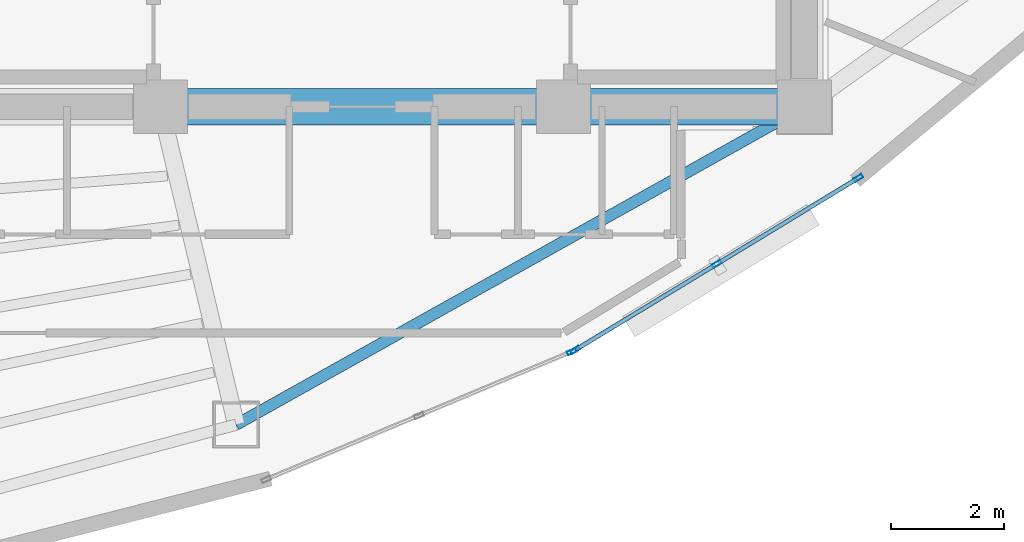
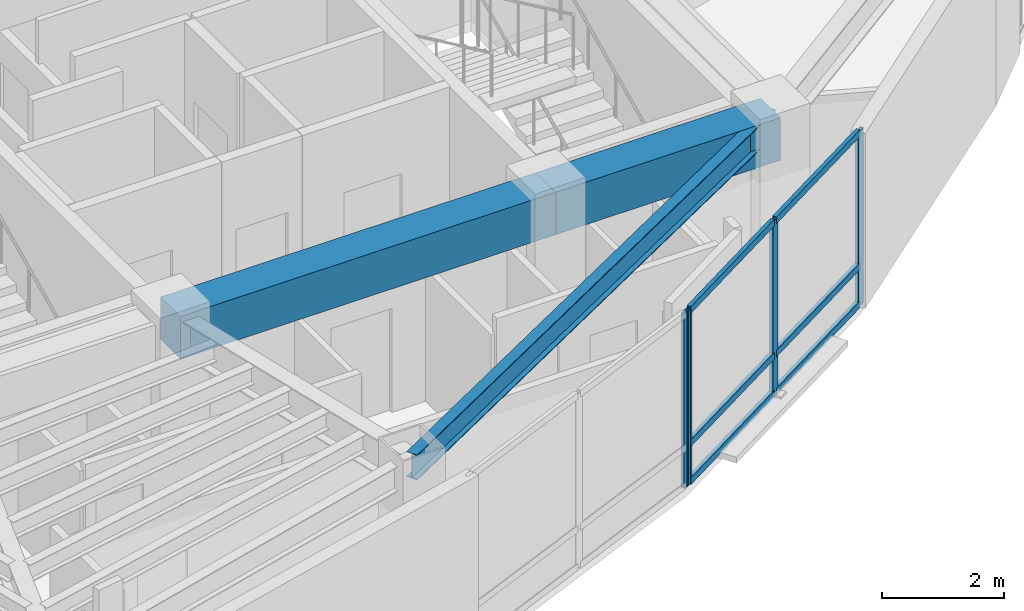
# One storey, part 5 of 15: 10 members, 3 beams, 2 elements without a shape of their own.
"""IFC4 building model written with IfcOpenShell, lengths in metres."""

from ifc_helpers import new_model, si_unit, direction, frame, origin, origin_2d, place, context, subcontext, project, spatial, rectangle, hollow_rectangle, i_section, extrude, material, layer, layer_set, material_profile, profile_set, type_object, element, aggregate, save


model = new_model("IFC4")

# Units and contexts
model_context = context("Model", 3, precision=1e-05, world=origin(), true_north=direction((0.0, 1.0)))
body_context = subcontext(model_context, "Body", "Model", "MODEL_VIEW")
ifc_project = project(units=[si_unit("LENGTHUNIT", "METRE"), si_unit("AREAUNIT", "SQUARE_METRE"), si_unit("VOLUMEUNIT", "CUBIC_METRE"), si_unit("PLANEANGLEUNIT", "RADIAN"), si_unit("MASSUNIT", "GRAM", prefix="KILO")], contexts=[model_context])

# Site, building, storey
site_placement = place(None, origin())
site = spatial("IfcSite", under=ifc_project, at=site_placement, CompositionType="ELEMENT")
building_placement = place(site_placement, origin())
building = spatial("IfcBuilding", under=site, at=building_placement, Name="Menara Vayukalpa", CompositionType="ELEMENT")
storey_placement = place(building_placement, frame((0.0, 0.0, 250.860107421875)))
storey = spatial("IfcBuildingStorey", under=building, at=storey_placement, Name="L63", CompositionType="ELEMENT", Elevation=250.860107421875)

# Beams
ifc_material_1 = material(Name="Concrete C60/75", Category="concrete")
ifc_material_profile_1 = material_profile(ifc_material_1, rectangle(XDim=0.64990234375, YDim=0.85009765625, at=origin_2d()), Name="RC 650x850")
ifc_profile_set_1 = profile_set([ifc_material_profile_1], Name="Concrete C60/75")
beam_type_1 = type_object("IfcBeamType", Name="BM-CB1", PredefinedType="BEAM", material=ifc_profile_set_1)
beam_1_placement = place(storey_placement, frame((22.050048828125, 17.199951171875, 3.074951171875), z_axis=(1.0, 0.0, 0.0), x_axis=(0.0, 1.0, 0.0)))
element("IfcBeam", 1, at=beam_1_placement, inside=storey, type_object=beam_type_1, Name="L63 Core Tie Beam CBR2", PredefinedType="BEAM", context=body_context, shape_type="SweptSolid", body=[
    extrude(rectangle(XDim=0.64990234375, YDim=0.85009765625, at=origin_2d()), origin(), (0.0, 0.0, 1.0), 7.099853515625),
])
beam_2_placement = place(storey_placement, frame((29.14990234375, 17.199951171875, 3.074951171875), z_axis=(1.0, 0.0, 0.0), x_axis=(0.0, 1.0, 0.0)))
element("IfcBeam", 2, at=beam_2_placement, inside=storey, type_object=beam_type_1, Name="L63 Core Tie Beam CBR3", PredefinedType="BEAM", context=body_context, shape_type="SweptSolid", body=[
    extrude(rectangle(XDim=0.64990234375, YDim=0.85009765625, at=origin_2d()), origin(), (0.0, 0.0, 1.0), 4.25),
])
ifc_material_2 = material(Name="Steel S355", Category="steel")
ifc_material_profile_2 = material_profile(ifc_material_2, i_section(OverallWidth=0.199951171875, OverallDepth=0.5, WebThickness=0.010009765625, FlangeThickness=0.01611328125, at=origin_2d()), Name="WF 500x200x10x16")
ifc_profile_set_2 = profile_set([ifc_material_profile_2], Name="Steel S355")
beam_type_2 = type_object("IfcBeamType", Name="BM-SP3", PredefinedType="SPANDREL", material=ifc_profile_set_2)
beam_3_placement = place(storey_placement, frame((23.3818359375, 11.59521484375, 3.25), z_axis=(0.87270577288, 0.48824648896, 0.0), x_axis=(-0.48824648896, 0.87270577288, 0.0)))
element("IfcBeam", 3, at=beam_3_placement, inside=storey, type_object=beam_type_2, Name="L63 Perimeter Spandrel Beam SP08", PredefinedType="SPANDREL", context=body_context, shape_type="SweptSolid", body=[
    extrude(i_section(OverallWidth=0.199951171875, OverallDepth=0.5, WebThickness=0.010009765625, FlangeThickness=0.01611328125, at=origin_2d()), origin(), (0.0, 0.0, 1.0), 11.479248046875),
])

# Curtain wall, member
ifc_material_3 = material(Name="Anodised Terracotta Aluminium Alloy 6063-T6", Category="masonry")
ifc_layer = layer(ifc_material_3, 0.1650390625)
ifc_layer_set = layer_set([ifc_layer], Name="Anodised Terracotta Aluminium Alloy 6063-T6")
curtain_wall_type = type_object("IfcCurtainWallType", Name="CW-CW6", PredefinedType="USERDEFINED", material=ifc_layer_set)
curtain_wall_1_placement = place(storey_placement, origin())
curtain_wall_1 = element("IfcCurtainWall", 4, at=curtain_wall_1_placement, inside=storey, type_object=curtain_wall_type, Name="L63 Observation and Executive Curtain Wall CW6 16", ObjectType="UNITISED", PredefinedType="USERDEFINED")
ifc_material_4 = material(Name="Anodised Terracotta Aluminium Alloy 6063-T6", Category="masonry")
ifc_material_profile_3 = material_profile(ifc_material_4, hollow_rectangle(XDim=0.070068359375, YDim=0.1650390625, WallThickness=0.00390625, at=origin_2d()), Name="ALU 70x165x4")
ifc_profile_set_3 = profile_set([ifc_material_profile_3], Name="Anodised Terracotta Aluminium Alloy 6063-T6")
member_type_1 = type_object("IfcMemberType", Name="CWM-CW6", PredefinedType="MULLION", material=ifc_profile_set_3)
member_1_placement = place(storey_placement, frame((29.298828125, 12.881103515625, 0.0), z_axis=(0.0, 0.0, 1.0), x_axis=(-0.385899911703, 0.922540653927, 0.0)))
member_1 = element("IfcMember", 5, at=member_1_placement, type_object=member_type_1, Name="CW6 mullion 3", PredefinedType="MULLION", context=body_context, shape_type="SweptSolid", body=[
    extrude(hollow_rectangle(XDim=0.070068359375, YDim=0.1650390625, WallThickness=0.00390625, at=origin_2d()), origin(), (0.0, 0.0, 1.0), 3.5),
])
aggregate(curtain_wall_1, [member_1])

# Curtain wall, members
curtain_wall_2_placement = place(storey_placement, origin())
curtain_wall_2 = element("IfcCurtainWall", 6, at=curtain_wall_2_placement, inside=storey, type_object=curtain_wall_type, Name="L63 Observation and Executive Curtain Wall CW6 17", ObjectType="UNITISED", PredefinedType="USERDEFINED")
member_2_placement = place(storey_placement, frame((29.36083984375, 12.912841796875, 0.0), z_axis=(0.0, 0.0, 1.0), x_axis=(-0.519175574558, 0.854667609532, 0.0)))
member_2 = element("IfcMember", 7, at=member_2_placement, type_object=member_type_1, Name="CW6 mullion 1", PredefinedType="MULLION", context=body_context, shape_type="SweptSolid", body=[
    extrude(hollow_rectangle(XDim=0.070068359375, YDim=0.1650390625, WallThickness=0.00390625, at=origin_2d()), origin(), (0.0, 0.0, 1.0), 3.5),
])
member_3_placement = place(storey_placement, frame((31.85546875, 14.42822265625, 0.0), z_axis=(0.0, 0.0, 1.0), x_axis=(-0.519175574558, 0.854667609532, 0.0)))
member_3 = element("IfcMember", 8, at=member_3_placement, type_object=member_type_1, Name="CW6 mullion 2", PredefinedType="MULLION", context=body_context, shape_type="SweptSolid", body=[
    extrude(hollow_rectangle(XDim=0.070068359375, YDim=0.1650390625, WallThickness=0.00390625, at=origin_2d()), origin(), (0.0, 0.0, 1.0), 3.5),
])
member_4_placement = place(storey_placement, frame((34.35009765625, 15.943603515625, 0.0), z_axis=(0.0, 0.0, 1.0), x_axis=(-0.519175574558, 0.854667609532, 0.0)))
member_4 = element("IfcMember", 9, at=member_4_placement, type_object=member_type_1, Name="CW6 mullion 3", PredefinedType="MULLION", context=body_context, shape_type="SweptSolid", body=[
    extrude(hollow_rectangle(XDim=0.070068359375, YDim=0.1650390625, WallThickness=0.00390625, at=origin_2d()), origin(), (0.0, 0.0, 1.0), 3.5),
])
ifc_material_5 = material(Name="Anodised Terracotta Aluminium Alloy 6063-T6", Category="masonry")
ifc_material_profile_4 = material_profile(ifc_material_5, hollow_rectangle(XDim=0.074951171875, YDim=0.135009765625, WallThickness=0.00390625, at=origin_2d()), Name="ALU 75x135x4")
ifc_profile_set_4 = profile_set([ifc_material_profile_4], Name="Anodised Terracotta Aluminium Alloy 6063-T6")
member_type_2 = type_object("IfcMemberType", Name="CWT-CW6", PredefinedType="USERDEFINED", material=ifc_profile_set_4)
member_5_placement = place(storey_placement, frame((29.390869140625, 12.93115234375, 0.037353515625), z_axis=(0.854689729536, 0.519139158825, 0.0), x_axis=(-0.519139158825, 0.854689729536, 0.0)))
member_5 = element("IfcMember", 10, at=member_5_placement, type_object=member_type_2, Name="CW6 transom 1.1", ObjectType="TRANSOM", PredefinedType="USERDEFINED", context=body_context, shape_type="SweptSolid", body=[
    extrude(hollow_rectangle(XDim=0.074951171875, YDim=0.135009765625, WallThickness=0.00390625, at=origin_2d()), origin(), (0.0, 0.0, 1.0), 2.848388671875),
])
member_6_placement = place(storey_placement, frame((29.390869140625, 12.93115234375, 0.7998046875), z_axis=(0.854689729536, 0.519139158825, 0.0), x_axis=(-0.519139158825, 0.854689729536, 0.0)))
member_6 = element("IfcMember", 11, at=member_6_placement, type_object=member_type_2, Name="CW6 transom 1.2", ObjectType="TRANSOM", PredefinedType="USERDEFINED", context=body_context, shape_type="SweptSolid", body=[
    extrude(hollow_rectangle(XDim=0.074951171875, YDim=0.135009765625, WallThickness=0.00390625, at=origin_2d()), origin(), (0.0, 0.0, 1.0), 2.848388671875),
])
member_7_placement = place(storey_placement, frame((29.390869140625, 12.93115234375, 3.46240234375), z_axis=(0.854689729536, 0.519139158825, 0.0), x_axis=(-0.519139158825, 0.854689729536, 0.0)))
member_7 = element("IfcMember", 12, at=member_7_placement, type_object=member_type_2, Name="CW6 transom 1.3", ObjectType="TRANSOM", PredefinedType="USERDEFINED", context=body_context, shape_type="SweptSolid", body=[
    extrude(hollow_rectangle(XDim=0.074951171875, YDim=0.135009765625, WallThickness=0.00390625, at=origin_2d()), origin(), (0.0, 0.0, 1.0), 2.848388671875),
])
member_8_placement = place(storey_placement, frame((31.88525390625, 14.4462890625, 0.037353515625), z_axis=(0.854674800659, 0.519163736328, 0.0), x_axis=(-0.519163736328, 0.85467480066, 0.0)))
member_8 = element("IfcMember", 13, at=member_8_placement, type_object=member_type_2, Name="CW6 transom 2.1", ObjectType="TRANSOM", PredefinedType="USERDEFINED", context=body_context, shape_type="SweptSolid", body=[
    extrude(hollow_rectangle(XDim=0.074951171875, YDim=0.135009765625, WallThickness=0.00390625, at=origin_2d()), origin(), (0.0, 0.0, 1.0), 2.848876953125),
])
member_9_placement = place(storey_placement, frame((31.88525390625, 14.4462890625, 0.7998046875), z_axis=(0.854674800659, 0.519163736328, 0.0), x_axis=(-0.519163736328, 0.85467480066, 0.0)))
member_9 = element("IfcMember", 14, at=member_9_placement, type_object=member_type_2, Name="CW6 transom 2.2", ObjectType="TRANSOM", PredefinedType="USERDEFINED", context=body_context, shape_type="SweptSolid", body=[
    extrude(hollow_rectangle(XDim=0.074951171875, YDim=0.135009765625, WallThickness=0.00390625, at=origin_2d()), origin(), (0.0, 0.0, 1.0), 2.848876953125),
])
member_10_placement = place(storey_placement, frame((31.88525390625, 14.4462890625, 3.46240234375), z_axis=(0.854674800659, 0.519163736328, 0.0), x_axis=(-0.519163736328, 0.85467480066, 0.0)))
member_10 = element("IfcMember", 15, at=member_10_placement, type_object=member_type_2, Name="CW6 transom 2.3", ObjectType="TRANSOM", PredefinedType="USERDEFINED", context=body_context, shape_type="SweptSolid", body=[
    extrude(hollow_rectangle(XDim=0.074951171875, YDim=0.135009765625, WallThickness=0.00390625, at=origin_2d()), origin(), (0.0, 0.0, 1.0), 2.848876953125),
])
aggregate(curtain_wall_2, [member_2, member_3, member_4, member_5, member_6, member_7, member_8, member_9, member_10])

save(model, "model.ifc")
